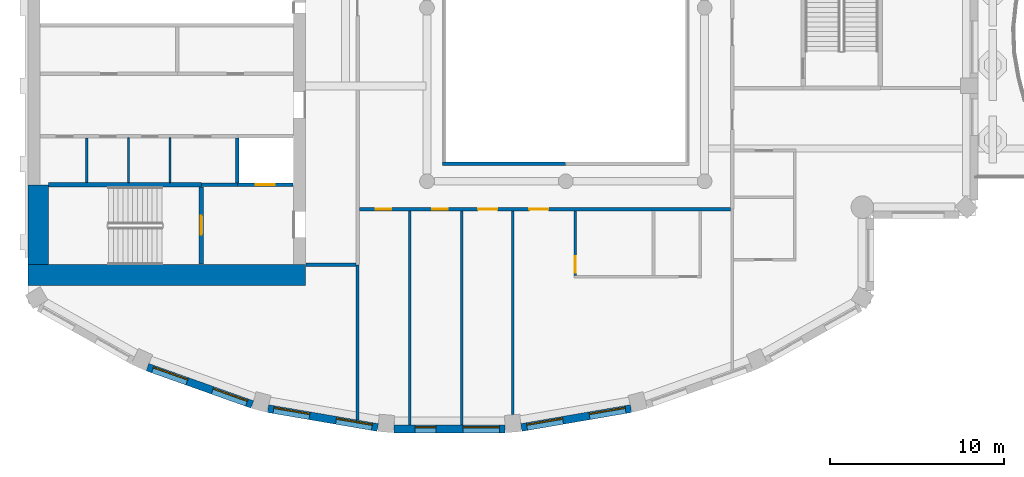
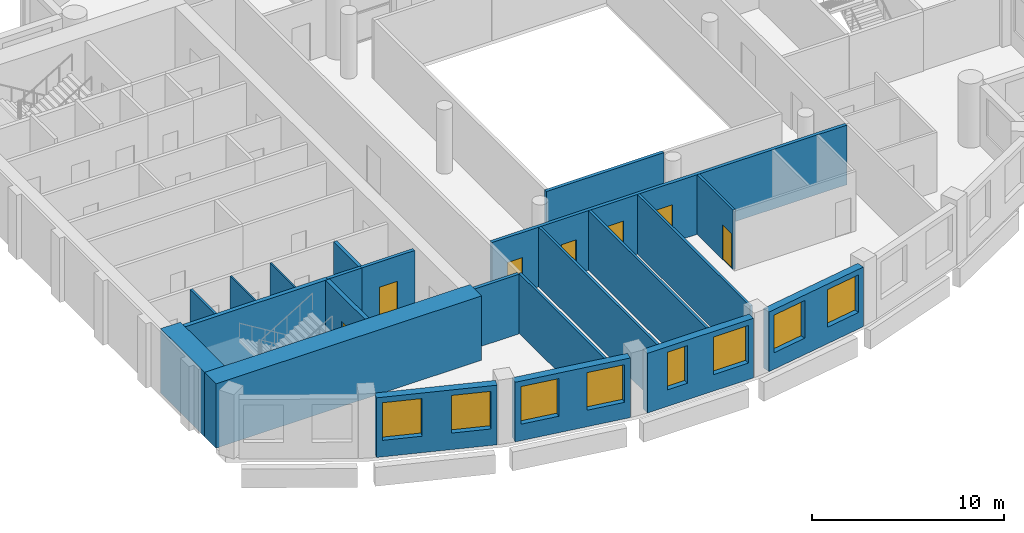
# One storey, part 4 of 14: 22 walls, 8 windows, 7 doors, 15 openings.
"""IFC4 building model written with IfcOpenShell, lengths in metres."""

from ifc_helpers import new_model, si_unit, direction, frame, frame_2d, origin, place, context, subcontext, project, spatial, rectangle, extrude, material, layer, layer_set, type_object, element, fill, save


model = new_model("IFC4")

# Units and contexts
model_context = context("Model", 3, precision=1e-05, world=origin(), true_north=direction((0.0, 1.0)))
body_context = subcontext(model_context, "Body", "Model", "MODEL_VIEW")
ifc_project = project(units=[si_unit("LENGTHUNIT", "METRE"), si_unit("AREAUNIT", "SQUARE_METRE"), si_unit("VOLUMEUNIT", "CUBIC_METRE"), si_unit("PLANEANGLEUNIT", "RADIAN"), si_unit("MASSUNIT", "GRAM", prefix="KILO")], contexts=[model_context])

# Site, building, storey
site_placement = place(None, origin())
site = spatial("IfcSite", under=ifc_project, at=site_placement, CompositionType="ELEMENT")
building_placement = place(site_placement, origin())
building = spatial("IfcBuilding", under=site, at=building_placement, Name="Cypress Arch Tower", CompositionType="ELEMENT")
storey_placement = place(building_placement, frame((0.0, 0.0, 247.5)))
storey = spatial("IfcBuildingStorey", under=building, at=storey_placement, Name="L55", CompositionType="ELEMENT", Elevation=247.5)

# Wall, openings, windows
ifc_material_1 = material(Name="Brick (red buff blend)", Category="masonry")
ifc_layer_1 = layer(ifc_material_1, 0.449951171875)
ifc_layer_set_1 = layer_set([ifc_layer_1], Name="Brick pier and spandrel wall BW450")
wall_type_1 = type_object("IfcWallType", Name="Brick pier and spandrel wall BW450", PredefinedType="SOLIDWALL", material=ifc_layer_set_1)
wall_1_placement = place(storey_placement, frame((-23.10498046875, -20.70947265625, 0.0), z_axis=(0.0, 0.0, 1.0), x_axis=(0.942104058931, -0.335320655711, 0.0)))
wall_1 = element("IfcWall", 1, at=wall_1_placement, inside=storey, type_object=wall_type_1, Name="Brick wall L55 C09.0", PredefinedType="SOLIDWALL", context=body_context, shape_type="SweptSolid", body=[
    extrude(rectangle(XDim=6.411376953125, YDim=0.449951171875, at=frame_2d((3.20556640625, 0.0))), origin(), (0.0, 0.0, 1.0), 3.800048828125),
])
opening_1_placement = place(wall_1_placement, frame((0.3271484375, 0.0, 1.050048828125)))
opening_1 = element("IfcOpeningElement", 2, at=opening_1_placement, cuts=wall_1, Name="Opening W210O", PredefinedType="OPENING", context=body_context, shape_type="SweptSolid", body=[
    extrude(rectangle(XDim=2.10009765625, YDim=2.39990234375, at=frame_2d((1.050048828125, 1.199951171875))), frame((0.0, 0.23486328125, 0.0), z_axis=(0.0, -1.0, 0.0), x_axis=(1.0, 0.0, 0.0)), (0.0, 0.0, 1.0), 0.469970703125),
])
opening_2_placement = place(wall_1_placement, frame((3.984619140625, 0.0, 1.050048828125)))
opening_2 = element("IfcOpeningElement", 3, at=opening_2_placement, cuts=wall_1, Name="Opening W210O", PredefinedType="OPENING", context=body_context, shape_type="SweptSolid", body=[
    extrude(rectangle(XDim=2.10009765625, YDim=2.39990234375, at=frame_2d((1.050048828125, 1.199951171875))), frame((0.0, 0.23486328125, 0.0), z_axis=(0.0, -1.0, 0.0), x_axis=(1.0, 0.0, 0.0)), (0.0, 0.0, 1.0), 0.469970703125),
])
ifc_material_2 = material(Name="Anodised aluminium, bronze finish, clear low-emissivity double glazing", Category="aluminium")
window_type_1 = type_object("IfcWindowType", Name="Window Office 2100x2400", PartitioningType="SINGLE_PANEL", PredefinedType="WINDOW", material=ifc_material_2)
window_1_placement = place(opening_1_placement, origin())
window_1 = element("IfcWindow", 4, at=window_1_placement, inside=storey, type_object=window_type_1, Name="Window L55 C09.0.1", OverallHeight=2.39990234375, OverallWidth=2.10009765625, PartitioningType="SINGLE_PANEL", PredefinedType="WINDOW", context=body_context, shape_type="SweptSolid", body=[
    extrude(rectangle(XDim=2.10009765625, YDim=2.39990234375, at=frame_2d((1.050048828125, 1.199951171875))), frame((0.0, 0.135009765625, 0.0), z_axis=(0.0, -1.0, 0.0), x_axis=(1.0, 0.0, 0.0)), (0.0, 0.0, 1.0), 0.06005859375),
])
fill(opening_1, window_1)
window_2_placement = place(opening_2_placement, origin())
window_2 = element("IfcWindow", 5, at=window_2_placement, inside=storey, type_object=window_type_1, Name="Window L55 C09.0.2", OverallHeight=2.39990234375, OverallWidth=2.10009765625, PartitioningType="SINGLE_PANEL", PredefinedType="WINDOW", context=body_context, shape_type="SweptSolid", body=[
    extrude(rectangle(XDim=2.10009765625, YDim=2.39990234375, at=frame_2d((1.050048828125, 1.199951171875))), frame((0.0, 0.135009765625, 0.0), z_axis=(0.0, -1.0, 0.0), x_axis=(1.0, 0.0, 0.0)), (0.0, 0.0, 1.0), 0.06005859375),
])
fill(opening_2, window_2)

wall_2_placement = place(storey_placement, frame((-16.15673828125, -23.09716796875, 0.0), z_axis=(0.0, 0.0, 1.0), x_axis=(0.985502073964, -0.169663379113, 0.0)))
wall_2 = element("IfcWall", 6, at=wall_2_placement, inside=storey, type_object=wall_type_1, Name="Brick wall L55 C10.0", PredefinedType="SOLIDWALL", context=body_context, shape_type="SweptSolid", body=[
    extrude(rectangle(XDim=6.412109375, YDim=0.449951171875, at=frame_2d((3.2060546875, 0.0))), origin(), (0.0, 0.0, 1.0), 3.800048828125),
])
opening_3_placement = place(wall_2_placement, frame((0.3271484375, 0.0, 1.050048828125)))
opening_3 = element("IfcOpeningElement", 7, at=opening_3_placement, cuts=wall_2, Name="Opening W210O", PredefinedType="OPENING", context=body_context, shape_type="SweptSolid", body=[
    extrude(rectangle(XDim=2.10009765625, YDim=2.39990234375, at=frame_2d((1.050048828125, 1.199951171875))), frame((0.0, 0.23486328125, 0.0), z_axis=(0.0, -1.0, 0.0), x_axis=(1.0, 0.0, 0.0)), (0.0, 0.0, 1.0), 0.469970703125),
])
opening_4_placement = place(wall_2_placement, frame((3.98486328125, 0.0, 1.050048828125)))
opening_4 = element("IfcOpeningElement", 8, at=opening_4_placement, cuts=wall_2, Name="Opening W210O", PredefinedType="OPENING", context=body_context, shape_type="SweptSolid", body=[
    extrude(rectangle(XDim=2.10009765625, YDim=2.39990234375, at=frame_2d((1.050048828125, 1.199951171875))), frame((0.0, 0.23486328125, 0.0), z_axis=(0.0, -1.0, 0.0), x_axis=(1.0, 0.0, 0.0)), (0.0, 0.0, 1.0), 0.469970703125),
])
window_3_placement = place(opening_3_placement, origin())
window_3 = element("IfcWindow", 9, at=window_3_placement, inside=storey, type_object=window_type_1, Name="Window L55 C10.0.1", OverallHeight=2.39990234375, OverallWidth=2.10009765625, PartitioningType="SINGLE_PANEL", PredefinedType="WINDOW", context=body_context, shape_type="SweptSolid", body=[
    extrude(rectangle(XDim=2.10009765625, YDim=2.39990234375, at=frame_2d((1.050048828125, 1.199951171875))), frame((0.0, 0.135009765625, 0.0), z_axis=(0.0, -1.0, 0.0), x_axis=(1.0, 0.0, 0.0)), (0.0, 0.0, 1.0), 0.06005859375),
])
fill(opening_3, window_3)
window_4_placement = place(opening_4_placement, origin())
window_4 = element("IfcWindow", 10, at=window_4_placement, inside=storey, type_object=window_type_1, Name="Window L55 C10.0.2", OverallHeight=2.39990234375, OverallWidth=2.10009765625, PartitioningType="SINGLE_PANEL", PredefinedType="WINDOW", context=body_context, shape_type="SweptSolid", body=[
    extrude(rectangle(XDim=2.10009765625, YDim=2.39990234375, at=frame_2d((1.050048828125, 1.199951171875))), frame((0.0, 0.135009765625, 0.0), z_axis=(0.0, -1.0, 0.0), x_axis=(1.0, 0.0, 0.0)), (0.0, 0.0, 1.0), 0.06005859375),
])
fill(opening_4, window_4)

wall_3_placement = place(storey_placement, frame((-8.90283203125, -24.264892578125, 0.0), z_axis=(0.0, 0.0, 1.0), x_axis=(1.0, 0.0, 0.0)))
wall_3 = element("IfcWall", 11, at=wall_3_placement, inside=storey, type_object=wall_type_1, Name="Brick wall L55 C11.0", PredefinedType="SOLIDWALL", context=body_context, shape_type="SweptSolid", body=[
    extrude(rectangle(XDim=6.405517578125, YDim=0.449951171875, at=frame_2d((3.20263671875, 0.0))), origin(), (0.0, 0.0, 1.0), 3.800048828125),
])
opening_5_placement = place(wall_3_placement, frame((3.97998046875, 0.0, 1.050048828125)))
opening_5 = element("IfcOpeningElement", 12, at=opening_5_placement, cuts=wall_3, Name="Opening W210O", PredefinedType="OPENING", context=body_context, shape_type="SweptSolid", body=[
    extrude(rectangle(XDim=2.10009765625, YDim=2.39990234375, at=frame_2d((1.050048828125, 1.199951171875))), frame((0.0, 0.23486328125, 0.0), z_axis=(0.0, -1.0, 0.0), x_axis=(1.0, 0.0, 0.0)), (0.0, 0.0, 1.0), 0.469970703125),
])
opening_6_placement = place(wall_3_placement, frame((1.214111328125, 0.0, 1.050048828125)))
opening_6 = element("IfcOpeningElement", 13, at=opening_6_placement, cuts=wall_3, Name="Opening W120O", PredefinedType="OPENING", context=body_context, shape_type="SweptSolid", body=[
    extrude(rectangle(XDim=1.199951171875, YDim=2.39990234375, at=frame_2d((0.60009765625, 1.199951171875))), frame((0.0, 0.23486328125, 0.0), z_axis=(0.0, -1.0, 0.0), x_axis=(1.0, 0.0, 0.0)), (0.0, 0.0, 1.0), 0.469970703125),
])
ifc_material_3 = material(Name="Anodised aluminium, bronze finish, clear low-emissivity double glazing", Category="aluminium")
window_type_2 = type_object("IfcWindowType", Name="Window Office 1200x2400", PartitioningType="SINGLE_PANEL", PredefinedType="WINDOW", material=ifc_material_3)
window_5_placement = place(opening_6_placement, origin())
window_5 = element("IfcWindow", 14, at=window_5_placement, inside=storey, type_object=window_type_2, Name="Window L55 C11.0.1", OverallHeight=2.39990234375, OverallWidth=1.199951171875, PartitioningType="SINGLE_PANEL", PredefinedType="WINDOW", context=body_context, shape_type="SweptSolid", body=[
    extrude(rectangle(XDim=1.199951171875, YDim=2.39990234375, at=frame_2d((0.60009765625, 1.199951171875))), frame((0.0, 0.135009765625, 0.0), z_axis=(0.0, -1.0, 0.0), x_axis=(1.0, 0.0, 0.0)), (0.0, 0.0, 1.0), 0.06005859375),
])
fill(opening_6, window_5)
window_6_placement = place(opening_5_placement, origin())
window_6 = element("IfcWindow", 15, at=window_6_placement, inside=storey, type_object=window_type_1, Name="Window L55 C11.0.2", OverallHeight=2.39990234375, OverallWidth=2.10009765625, PartitioningType="SINGLE_PANEL", PredefinedType="WINDOW", context=body_context, shape_type="SweptSolid", body=[
    extrude(rectangle(XDim=2.10009765625, YDim=2.39990234375, at=frame_2d((1.050048828125, 1.199951171875))), frame((0.0, 0.135009765625, 0.0), z_axis=(0.0, -1.0, 0.0), x_axis=(1.0, 0.0, 0.0)), (0.0, 0.0, 1.0), 0.06005859375),
])
fill(opening_5, window_6)

wall_4_placement = place(storey_placement, frame((-1.562255859375, -24.18505859375, 0.0), z_axis=(0.0, 0.0, 1.0), x_axis=(0.985502073964, 0.169663379113, 0.0)))
wall_4 = element("IfcWall", 16, at=wall_4_placement, inside=storey, type_object=wall_type_1, Name="Brick wall L55 C12.0", PredefinedType="SOLIDWALL", context=body_context, shape_type="SweptSolid", body=[
    extrude(rectangle(XDim=6.412109375, YDim=0.449951171875, at=frame_2d((3.2060546875, 0.0))), origin(), (0.0, 0.0, 1.0), 3.800048828125),
])
opening_7_placement = place(wall_4_placement, frame((0.3271484375, 0.0, 1.050048828125)))
opening_7 = element("IfcOpeningElement", 17, at=opening_7_placement, cuts=wall_4, Name="Opening W210O", PredefinedType="OPENING", context=body_context, shape_type="SweptSolid", body=[
    extrude(rectangle(XDim=2.10009765625, YDim=2.39990234375, at=frame_2d((1.050048828125, 1.199951171875))), frame((0.0, 0.23486328125, 0.0), z_axis=(0.0, -1.0, 0.0), x_axis=(1.0, 0.0, 0.0)), (0.0, 0.0, 1.0), 0.469970703125),
])
opening_8_placement = place(wall_4_placement, frame((3.98486328125, 0.0, 1.050048828125)))
opening_8 = element("IfcOpeningElement", 18, at=opening_8_placement, cuts=wall_4, Name="Opening W210O", PredefinedType="OPENING", context=body_context, shape_type="SweptSolid", body=[
    extrude(rectangle(XDim=2.10009765625, YDim=2.39990234375, at=frame_2d((1.050048828125, 1.199951171875))), frame((0.0, 0.23486328125, 0.0), z_axis=(0.0, -1.0, 0.0), x_axis=(1.0, 0.0, 0.0)), (0.0, 0.0, 1.0), 0.469970703125),
])
window_7_placement = place(opening_7_placement, origin())
window_7 = element("IfcWindow", 19, at=window_7_placement, inside=storey, type_object=window_type_1, Name="Window L55 C12.0.1", OverallHeight=2.39990234375, OverallWidth=2.10009765625, PartitioningType="SINGLE_PANEL", PredefinedType="WINDOW", context=body_context, shape_type="SweptSolid", body=[
    extrude(rectangle(XDim=2.10009765625, YDim=2.39990234375, at=frame_2d((1.050048828125, 1.199951171875))), frame((0.0, 0.135009765625, 0.0), z_axis=(0.0, -1.0, 0.0), x_axis=(1.0, 0.0, 0.0)), (0.0, 0.0, 1.0), 0.06005859375),
])
fill(opening_7, window_7)
window_8_placement = place(opening_8_placement, origin())
window_8 = element("IfcWindow", 20, at=window_8_placement, inside=storey, type_object=window_type_1, Name="Window L55 C12.0.2", OverallHeight=2.39990234375, OverallWidth=2.10009765625, PartitioningType="SINGLE_PANEL", PredefinedType="WINDOW", context=body_context, shape_type="SweptSolid", body=[
    extrude(rectangle(XDim=2.10009765625, YDim=2.39990234375, at=frame_2d((1.050048828125, 1.199951171875))), frame((0.0, 0.135009765625, 0.0), z_axis=(0.0, -1.0, 0.0), x_axis=(1.0, 0.0, 0.0)), (0.0, 0.0, 1.0), 0.06005859375),
])
fill(opening_8, window_8)

# Walls
ifc_material_4 = material(Name="Concrete C60/75", Category="concrete")
ifc_layer_2 = layer(ifc_material_4, 1.199951171875)
ifc_layer_set_2 = layer_set([ifc_layer_2], Name="Core wall CW1200 C60/75")
wall_type_2 = type_object("IfcWallType", Name="Core wall CW1200 C60/75", PredefinedType="SHEAR", material=ifc_layer_set_2)
wall_5_placement = place(storey_placement, frame((-30.0, -15.39990234375, 0.0), z_axis=(0.0, 0.0, 1.0), x_axis=(1.0, 0.0, 0.0)))
element("IfcWall", 21, at=wall_5_placement, inside=storey, type_object=wall_type_2, Name="Core wall", PredefinedType="SHEAR", context=body_context, shape_type="SweptSolid", body=[
    extrude(rectangle(XDim=16.0, YDim=1.199951171875, at=frame_2d((8.0, 0.0))), origin(), (0.0, 0.0, 1.0), 4.10009765625),
])
wall_6_placement = place(storey_placement, frame((-29.39990234375, -14.800048828125, 0.0), z_axis=(0.0, 0.0, 1.0), x_axis=(0.0, 1.0, 0.0)))
element("IfcWall", 22, at=wall_6_placement, inside=storey, type_object=wall_type_2, Name="Core wall", PredefinedType="SHEAR", context=body_context, shape_type="SweptSolid", body=[
    extrude(rectangle(XDim=4.60009765625, YDim=1.199951171875, at=frame_2d((2.300048828125, 0.0))), origin(), (0.0, 0.0, 1.0), 4.10009765625),
])
ifc_material_5 = material(Name="Concrete blockwork, plastered, rated", Category="masonry")
ifc_layer_3 = layer(ifc_material_5, 0.199951171875)
ifc_layer_set_3 = layer_set([ifc_layer_3], Name="Corridor wall FW200")
wall_type_3 = type_object("IfcWallType", Name="Corridor wall FW200", PredefinedType="PARTITIONING", material=ifc_layer_set_3)
wall_7_placement = place(storey_placement, frame((-20.0, -10.199951171875, 0.0), z_axis=(0.0, 0.0, 1.0), x_axis=(1.0, 0.0, 0.0)))
element("IfcWall", 23, at=wall_7_placement, inside=storey, type_object=wall_type_3, Name="Corridor wall", PredefinedType="PARTITIONING", context=body_context, shape_type="SweptSolid", body=[
    extrude(rectangle(XDim=2.080078125, YDim=0.199951171875, at=frame_2d((1.0400390625, 0.0))), origin(), (0.0, 0.0, 1.0), 3.800048828125),
])
wall_8_placement = place(storey_placement, frame((-13.969970703125, -14.800048828125, 0.0), z_axis=(0.0, 0.0, 1.0), x_axis=(1.0, 0.0, 0.0)))
element("IfcWall", 24, at=wall_8_placement, inside=storey, type_object=wall_type_3, Name="Corridor wall", PredefinedType="PARTITIONING", context=body_context, shape_type="SweptSolid", body=[
    extrude(rectangle(XDim=2.869873046875, YDim=0.199951171875, at=frame_2d((1.43505859375, 0.0))), origin(), (0.0, 0.0, 1.0), 3.800048828125),
])

# Wall, openings, doors
wall_9_placement = place(storey_placement, frame((-10.89990234375, -11.60009765625, 0.0), z_axis=(0.0, 0.0, 1.0), x_axis=(1.0, 0.0, 0.0)))
wall_9 = element("IfcWall", 25, at=wall_9_placement, inside=storey, type_object=wall_type_3, Name="Corridor wall", PredefinedType="PARTITIONING", context=body_context, shape_type="SweptSolid", body=[
    extrude(rectangle(XDim=21.39990234375, YDim=0.199951171875, at=frame_2d((10.699951171875, 0.0))), origin(), (0.0, 0.0, 1.0), 3.800048828125),
])
opening_9_placement = place(wall_9_placement, frame((0.949951171875, 0.0, 0.0)))
opening_9 = element("IfcOpeningElement", 26, at=opening_9_placement, cuts=wall_9, Name="Opening D05", PredefinedType="OPENING", context=body_context, shape_type="SweptSolid", body=[
    extrude(rectangle(XDim=0.89990234375, YDim=2.199951171875, at=frame_2d((0.449951171875, 1.10009765625))), frame((0.0, 0.10986328125, 0.0), z_axis=(0.0, -1.0, 0.0), x_axis=(1.0, 0.0, 0.0)), (0.0, 0.0, 1.0), 0.219970703125),
])
opening_10_placement = place(wall_9_placement, frame((4.199951171875, 0.0, 0.0)))
opening_10 = element("IfcOpeningElement", 27, at=opening_10_placement, cuts=wall_9, Name="Opening D05", PredefinedType="OPENING", context=body_context, shape_type="SweptSolid", body=[
    extrude(rectangle(XDim=0.89990234375, YDim=2.199951171875, at=frame_2d((0.449951171875, 1.10009765625))), frame((0.0, 0.10986328125, 0.0), z_axis=(0.0, -1.0, 0.0), x_axis=(1.0, 0.0, 0.0)), (0.0, 0.0, 1.0), 0.219970703125),
])
opening_11_placement = place(wall_9_placement, frame((6.85009765625, 0.0, 0.0)))
opening_11 = element("IfcOpeningElement", 28, at=opening_11_placement, cuts=wall_9, Name="Opening D01", PredefinedType="OPENING", context=body_context, shape_type="SweptSolid", body=[
    extrude(rectangle(XDim=1.10009765625, YDim=2.39990234375, at=frame_2d((0.550048828125, 1.199951171875))), frame((0.0, 0.10986328125, 0.0), z_axis=(0.0, -1.0, 0.0), x_axis=(1.0, 0.0, 0.0)), (0.0, 0.0, 1.0), 0.219970703125),
])
opening_12_placement = place(wall_9_placement, frame((9.800048828125, 0.0, 0.0)))
opening_12 = element("IfcOpeningElement", 29, at=opening_12_placement, cuts=wall_9, Name="Opening D01", PredefinedType="OPENING", context=body_context, shape_type="SweptSolid", body=[
    extrude(rectangle(XDim=1.10009765625, YDim=2.39990234375, at=frame_2d((0.550048828125, 1.199951171875))), frame((0.0, 0.10986328125, 0.0), z_axis=(0.0, -1.0, 0.0), x_axis=(1.0, 0.0, 0.0)), (0.0, 0.0, 1.0), 0.219970703125),
])
ifc_material_6 = material(Name="Timber flush door", Category="wood")
door_type_1 = type_object("IfcDoorType", Name="Service door D05 900x2200", OperationType="SINGLE_SWING_LEFT", PredefinedType="DOOR", material=ifc_material_6)
door_1_placement = place(opening_9_placement, origin())
door_1 = element("IfcDoor", 30, at=door_1_placement, inside=storey, type_object=door_type_1, Name="Service door", OperationType="SINGLE_SWING_RIGHT", OverallHeight=2.199951171875, OverallWidth=0.89990234375, PredefinedType="DOOR", context=body_context, shape_type="SweptSolid", body=[
    extrude(rectangle(XDim=0.89990234375, YDim=2.199951171875, at=frame_2d((0.449951171875, 1.10009765625))), frame((0.0, 0.02490234375, 0.0), z_axis=(0.0, -1.0, 0.0), x_axis=(1.0, 0.0, 0.0)), (0.0, 0.0, 1.0), 0.050048828125),
])
fill(opening_9, door_1)
door_2_placement = place(opening_10_placement, origin())
door_2 = element("IfcDoor", 31, at=door_2_placement, inside=storey, type_object=door_type_1, Name="Service door", OperationType="SINGLE_SWING_LEFT", OverallHeight=2.199951171875, OverallWidth=0.89990234375, PredefinedType="DOOR", context=body_context, shape_type="SweptSolid", body=[
    extrude(rectangle(XDim=0.89990234375, YDim=2.199951171875, at=frame_2d((0.449951171875, 1.10009765625))), frame((0.0, 0.02490234375, 0.0), z_axis=(0.0, -1.0, 0.0), x_axis=(1.0, 0.0, 0.0)), (0.0, 0.0, 1.0), 0.050048828125),
])
fill(opening_10, door_2)
ifc_material_7 = material(Name="Timber flush door, fire resisting, self-closing", Category="wood")
door_type_2 = type_object("IfcDoorType", Name="Unit entrance door D01 1100x2400", OperationType="SINGLE_SWING_LEFT", PredefinedType="DOOR", material=ifc_material_7)
door_3_placement = place(opening_11_placement, origin())
door_3 = element("IfcDoor", 32, at=door_3_placement, inside=storey, type_object=door_type_2, Name="Unit entrance door", OperationType="SINGLE_SWING_LEFT", OverallHeight=2.39990234375, OverallWidth=1.10009765625, PredefinedType="DOOR", context=body_context, shape_type="SweptSolid", body=[
    extrude(rectangle(XDim=1.10009765625, YDim=2.39990234375, at=frame_2d((0.550048828125, 1.199951171875))), frame((0.0, 0.02490234375, 0.0), z_axis=(0.0, -1.0, 0.0), x_axis=(1.0, 0.0, 0.0)), (0.0, 0.0, 1.0), 0.050048828125),
])
fill(opening_11, door_3)
door_4_placement = place(opening_12_placement, origin())
door_4 = element("IfcDoor", 33, at=door_4_placement, inside=storey, type_object=door_type_2, Name="Unit entrance door", OperationType="SINGLE_SWING_RIGHT", OverallHeight=2.39990234375, OverallWidth=1.10009765625, PredefinedType="DOOR", context=body_context, shape_type="SweptSolid", body=[
    extrude(rectangle(XDim=1.10009765625, YDim=2.39990234375, at=frame_2d((0.550048828125, 1.199951171875))), frame((0.0, 0.02490234375, 0.0), z_axis=(0.0, -1.0, 0.0), x_axis=(1.0, 0.0, 0.0)), (0.0, 0.0, 1.0), 0.050048828125),
])
fill(opening_12, door_4)

# Walls
wall_10_placement = place(storey_placement, frame((-6.10009765625, -9.0, 0.0), z_axis=(0.0, 0.0, 1.0), x_axis=(1.0, 0.0, 0.0)))
element("IfcWall", 34, at=wall_10_placement, inside=storey, type_object=wall_type_3, Name="Corridor wall", PredefinedType="PARTITIONING", context=body_context, shape_type="SweptSolid", body=[
    extrude(rectangle(XDim=7.080078125, YDim=0.199951171875, at=frame_2d((3.5400390625, 0.0))), origin(), (0.0, 0.0, 1.0), 3.800048828125),
])
ifc_material_8 = material(Name="Blockwork, plastered both sides", Category="masonry")
ifc_layer_4 = layer(ifc_material_8, 0.14990234375)
ifc_layer_set_4 = layer_set([ifc_layer_4], Name="Partition PW150")
wall_type_4 = type_object("IfcWallType", Name="Partition PW150", PredefinedType="PARTITIONING", material=ifc_layer_set_4)
wall_11_placement = place(storey_placement, frame((-26.60009765625, -10.074951171875, 0.0), z_axis=(0.0, 0.0, 1.0), x_axis=(0.0, 1.0, 0.0)))
element("IfcWall", 35, at=wall_11_placement, inside=storey, type_object=wall_type_4, Name="Partition", PredefinedType="PARTITIONING", context=body_context, shape_type="SweptSolid", body=[
    extrude(rectangle(XDim=2.574951171875, YDim=0.14990234375, at=frame_2d((1.28759765625, 0.0))), origin(), (0.0, 0.0, 1.0), 3.800048828125),
])
wall_12_placement = place(storey_placement, frame((-11.0, -23.756591796875, 0.0), z_axis=(0.0, 0.0, 1.0), x_axis=(0.0, 1.0, 0.0)))
element("IfcWall", 36, at=wall_12_placement, inside=storey, type_object=wall_type_4, Name="Partition", PredefinedType="PARTITIONING", context=body_context, shape_type="SweptSolid", body=[
    extrude(rectangle(XDim=8.9365234375, YDim=0.14990234375, at=frame_2d((4.46826171875, 0.0))), origin(), (0.0, 0.0, 1.0), 3.800048828125),
])
for number, where, z_axis, x_axis, name in (
    (37, (-8.0, -24.0400390625, 0.0), (0.0, 0.0, 1.0), (0.0, 1.0, 0.0), "Partition"),
    (38, (-5.0, -24.0400390625, 0.0), (0.0, 0.0, 1.0), (0.0, 1.0, 0.0), "Partition"),
):
    element("IfcWall", number, at=place(storey_placement, frame(where, z_axis=z_axis, x_axis=x_axis)), inside=storey, type_object=wall_type_4, Name=name, PredefinedType="PARTITIONING", context=body_context, shape_type="SweptSolid", body=[
        extrude(rectangle(XDim=12.340087890625, YDim=0.14990234375, at=frame_2d((6.169921875, 0.0))), origin(), (0.0, 0.0, 1.0), 3.800048828125),
    ])
wall_13_placement = place(storey_placement, frame((-2.0458984375, -23.441162109375, 0.0), z_axis=(0.0, 0.0, 1.0), x_axis=(0.0, 1.0, 0.0)))
element("IfcWall", 39, at=wall_13_placement, inside=storey, type_object=wall_type_4, Name="Partition", PredefinedType="PARTITIONING", context=body_context, shape_type="SweptSolid", body=[
    extrude(rectangle(XDim=11.7412109375, YDim=0.14990234375, at=frame_2d((5.87060546875, 0.0))), origin(), (0.0, 0.0, 1.0), 3.800048828125),
])

# Wall, opening, door
wall_14_placement = place(storey_placement, frame((1.553955078125, -15.425048828125, 0.0), z_axis=(0.0, 0.0, 1.0), x_axis=(0.0, 1.0, 0.0)))
wall_14 = element("IfcWall", 40, at=wall_14_placement, inside=storey, type_object=wall_type_4, Name="Partition", PredefinedType="PARTITIONING", context=body_context, shape_type="SweptSolid", body=[
    extrude(rectangle(XDim=3.72509765625, YDim=0.14990234375, at=frame_2d((1.862548828125, 0.0))), origin(), (0.0, 0.0, 1.0), 3.800048828125),
])
opening_13_placement = place(wall_14_placement, frame((0.14990234375, 0.0, 0.0)))
opening_13 = element("IfcOpeningElement", 41, at=opening_13_placement, cuts=wall_14, Name="Opening D12", PredefinedType="OPENING", context=body_context, shape_type="SweptSolid", body=[
    extrude(rectangle(XDim=0.949951171875, YDim=2.199951171875, at=frame_2d((0.47509765625, 1.10009765625))), frame((0.0, 0.0849609375, 0.0), z_axis=(0.0, -1.0, 0.0), x_axis=(1.0, 0.0, 0.0)), (0.0, 0.0, 1.0), 0.169921875),
])
ifc_material_9 = material(Name="Timber flush door", Category="wood")
door_type_3 = type_object("IfcDoorType", Name="Room door D12 950x2200", OperationType="SINGLE_SWING_LEFT", PredefinedType="DOOR", material=ifc_material_9)
door_5_placement = place(opening_13_placement, origin())
door_5 = element("IfcDoor", 42, at=door_5_placement, inside=storey, type_object=door_type_3, Name="Room door", OperationType="SINGLE_SWING_RIGHT", OverallHeight=2.199951171875, OverallWidth=0.949951171875, PredefinedType="DOOR", context=body_context, shape_type="SweptSolid", body=[
    extrude(rectangle(XDim=0.949951171875, YDim=2.199951171875, at=frame_2d((0.47509765625, 1.10009765625))), frame((0.0, 0.02490234375, 0.0), z_axis=(0.0, -1.0, 0.0), x_axis=(1.0, 0.0, 0.0)), (0.0, 0.0, 1.0), 0.050048828125),
])
fill(opening_13, door_5)

# Wall
ifc_material_10 = material(Name="Concrete C50/60", Category="concrete")
ifc_layer_5 = layer(ifc_material_10, 0.199951171875)
ifc_layer_set_5 = layer_set([ifc_layer_5], Name="Shaft wall SH200")
wall_type_5 = type_object("IfcWallType", Name="Shaft wall SH200", PredefinedType="SHEAR", material=ifc_layer_set_5)
wall_15_placement = place(storey_placement, frame((-17.919921875, -10.10009765625, 0.0), z_axis=(0.0, 0.0, 1.0), x_axis=(0.0, 1.0, 0.0)))
element("IfcWall", 43, at=wall_15_placement, inside=storey, type_object=wall_type_5, Name="Shaft wall", PredefinedType="SHEAR", context=body_context, shape_type="SweptSolid", body=[
    extrude(rectangle(XDim=2.60009765625, YDim=0.199951171875, at=frame_2d((1.300048828125, 0.0))), origin(), (0.0, 0.0, 1.0), 3.800048828125),
])

# Wall, opening, door
wall_16_placement = place(storey_placement, frame((-17.919921875, -10.199951171875, 0.0), z_axis=(0.0, 0.0, 1.0), x_axis=(1.0, 0.0, 0.0)))
wall_16 = element("IfcWall", 44, at=wall_16_placement, inside=storey, type_object=wall_type_5, Name="Shaft wall", PredefinedType="SHEAR", context=body_context, shape_type="SweptSolid", body=[
    extrude(rectangle(XDim=3.18994140625, YDim=0.199951171875, at=frame_2d((1.594970703125, 0.0))), origin(), (0.0, 0.0, 1.0), 3.800048828125),
])
opening_14_placement = place(wall_16_placement, frame((1.050048828125, 0.0, 0.0)))
opening_14 = element("IfcOpeningElement", 45, at=opening_14_placement, cuts=wall_16, Name="Opening LD-FL1", PredefinedType="OPENING", context=body_context, shape_type="SweptSolid", body=[
    extrude(rectangle(XDim=1.10009765625, YDim=2.199951171875, at=frame_2d((0.550048828125, 1.10009765625))), frame((0.0, 0.10986328125, 0.0), z_axis=(0.0, -1.0, 0.0), x_axis=(1.0, 0.0, 0.0)), (0.0, 0.0, 1.0), 0.219970703125),
])
ifc_material_11 = material(Name="Stainless steel centre-opening landing door, rated", Category="steel")
door_type_4 = type_object("IfcDoorType", Name="Lift landing door LD 1100x2200", OperationType="DOUBLE_DOOR_SLIDING", PredefinedType="DOOR", material=ifc_material_11)
door_6_placement = place(opening_14_placement, origin())
door_6 = element("IfcDoor", 46, at=door_6_placement, inside=storey, type_object=door_type_4, Name="Lift landing doors FL1", OperationType="DOUBLE_DOOR_SLIDING", OverallHeight=2.199951171875, OverallWidth=1.10009765625, PredefinedType="DOOR", context=body_context, shape_type="SweptSolid", body=[
    extrude(rectangle(XDim=1.10009765625, YDim=2.199951171875, at=frame_2d((0.550048828125, 1.10009765625))), frame((0.0, 0.02490234375, 0.0), z_axis=(0.0, -1.0, 0.0), x_axis=(1.0, 0.0, 0.0)), (0.0, 0.0, 1.0), 0.050048828125),
])
fill(opening_14, door_6)

# Wall
ifc_material_12 = material(Name="Concrete C50/60", Category="concrete")
ifc_layer_6 = layer(ifc_material_12, 0.25)
ifc_layer_set_6 = layer_set([ifc_layer_6], Name="Stair enclosure wall SW250")
wall_type_6 = type_object("IfcWallType", Name="Stair enclosure wall SW250", PredefinedType="SHEAR", material=ifc_layer_set_6)
wall_17_placement = place(storey_placement, frame((-28.81005859375, -10.199951171875, 0.0), z_axis=(0.0, 0.0, 1.0), x_axis=(1.0, 0.0, 0.0)))
element("IfcWall", 47, at=wall_17_placement, inside=storey, type_object=wall_type_6, Name="Stair enclosure wall", PredefinedType="SHEAR", context=body_context, shape_type="SweptSolid", body=[
    extrude(rectangle(XDim=8.81005859375, YDim=0.25, at=frame_2d((4.405029296875, 0.0))), origin(), (0.0, 0.0, 1.0), 3.800048828125),
])

# Wall, opening, door
wall_18_placement = place(storey_placement, frame((-20.0, -14.77001953125, 0.0), z_axis=(0.0, 0.0, 1.0), x_axis=(0.0, 1.0, 0.0)))
wall_18 = element("IfcWall", 48, at=wall_18_placement, inside=storey, type_object=wall_type_6, Name="Stair enclosure wall", PredefinedType="SHEAR", context=body_context, shape_type="SweptSolid", body=[
    extrude(rectangle(XDim=4.445068359375, YDim=0.25, at=frame_2d((2.22265625, 0.0))), origin(), (0.0, 0.0, 1.0), 3.800048828125),
])
opening_15_placement = place(wall_18_placement, frame((1.699951171875, 0.0, 0.0)))
opening_15 = element("IfcOpeningElement", 49, at=opening_15_placement, cuts=wall_18, Name="Opening D06", PredefinedType="OPENING", context=body_context, shape_type="SweptSolid", body=[
    extrude(rectangle(XDim=1.10009765625, YDim=2.199951171875, at=frame_2d((0.550048828125, 1.10009765625))), frame((0.0, 0.135009765625, 0.0), z_axis=(0.0, -1.0, 0.0), x_axis=(1.0, 0.0, 0.0)), (0.0, 0.0, 1.0), 0.27001953125),
])
ifc_material_13 = material(Name="Steel door, fire resisting, panic bar", Category="steel")
door_type_5 = type_object("IfcDoorType", Name="Stair door D06 1100x2200", OperationType="SINGLE_SWING_LEFT", PredefinedType="DOOR", material=ifc_material_13)
door_7_placement = place(opening_15_placement, origin())
door_7 = element("IfcDoor", 50, at=door_7_placement, inside=storey, type_object=door_type_5, Name="Stair door", OperationType="SINGLE_SWING_RIGHT", OverallHeight=2.199951171875, OverallWidth=1.10009765625, PredefinedType="DOOR", context=body_context, shape_type="SweptSolid", body=[
    extrude(rectangle(XDim=1.10009765625, YDim=2.199951171875, at=frame_2d((0.550048828125, 1.10009765625))), frame((0.0, 0.02490234375, 0.0), z_axis=(0.0, -1.0, 0.0), x_axis=(1.0, 0.0, 0.0)), (0.0, 0.0, 1.0), 0.050048828125),
])
fill(opening_15, door_7)

# Walls
ifc_material_14 = material(Name="Moisture resistant board on steel studs, tiled", Category="steel")
ifc_layer_7 = layer(ifc_material_14, 0.10009765625)
ifc_layer_set_7 = layer_set([ifc_layer_7], Name="Wet wall PW100")
wall_type_7 = type_object("IfcWallType", Name="Wet wall PW100", PredefinedType="PARTITIONING", material=ifc_layer_set_7)
for number, where, z_axis, x_axis, name in (
    (51, (-24.199951171875, -10.074951171875, 0.0), (0.0, 0.0, 1.0), (0.0, 1.0, 0.0), "Wet wall"),
    (52, (-21.800048828125, -10.074951171875, 0.0), (0.0, 0.0, 1.0), (0.0, 1.0, 0.0), "Wet wall"),
):
    element("IfcWall", number, at=place(storey_placement, frame(where, z_axis=z_axis, x_axis=x_axis)), inside=storey, type_object=wall_type_7, Name=name, PredefinedType="PARTITIONING", context=body_context, shape_type="SweptSolid", body=[
        extrude(rectangle(XDim=2.574951171875, YDim=0.10009765625, at=frame_2d((1.28759765625, 0.0))), origin(), (0.0, 0.0, 1.0), 3.800048828125),
    ])

save(model, "model.ifc")
